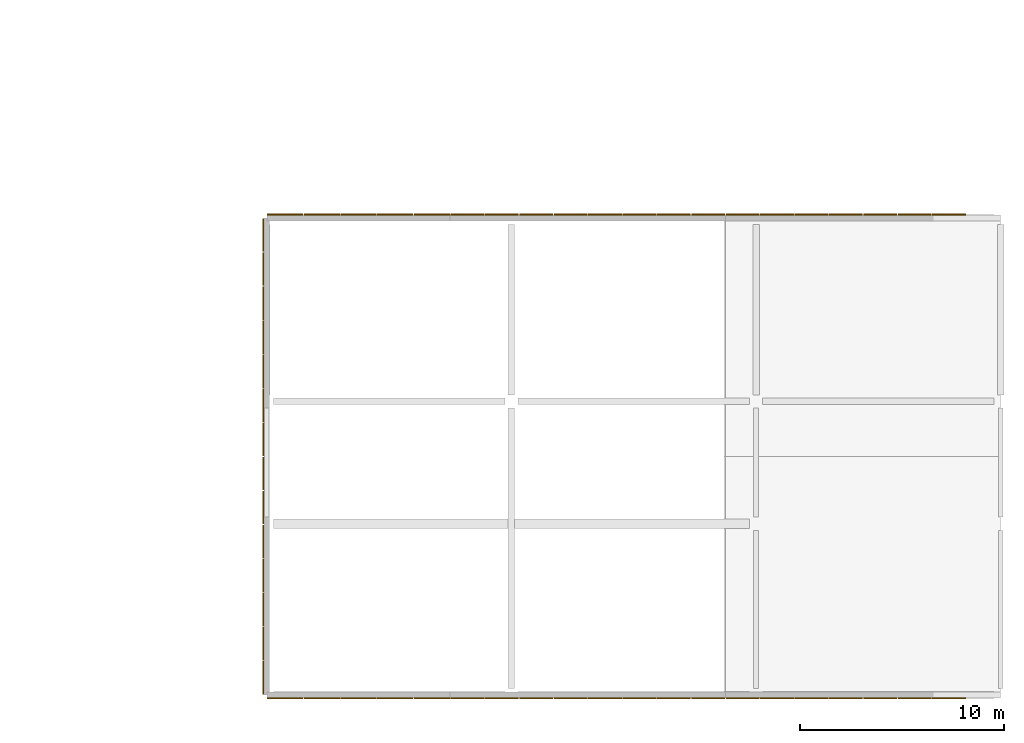
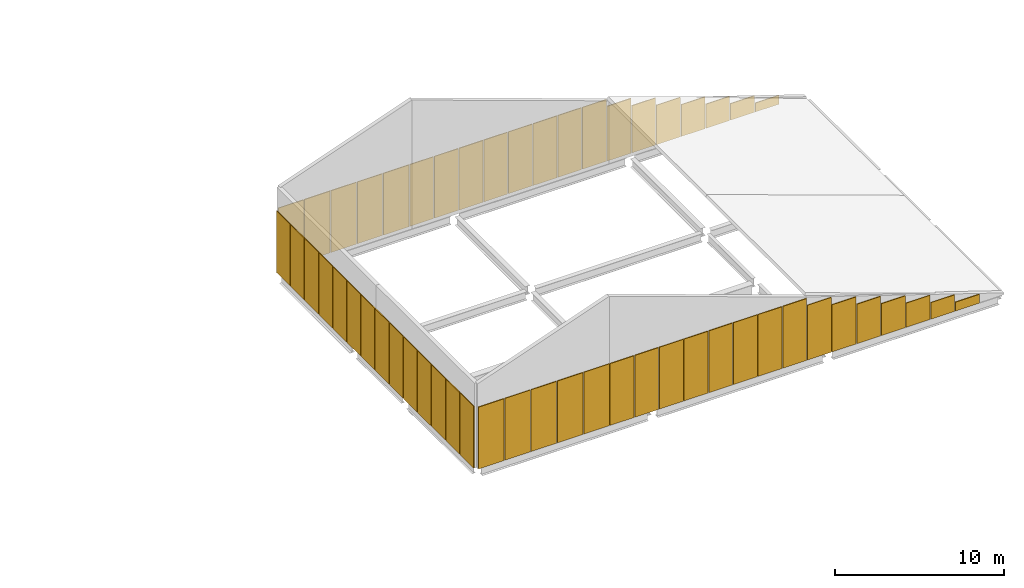
# One storey, part 7 of 7: 54 coverings.
"""IFC4 building model written with IfcOpenShell, lengths in metres."""

from ifc_helpers import new_model, si_unit, direction, frame, origin, origin_2d, place, context, subcontext, project, spatial, rectangle, extrude, material, layer, layer_set, type_object, element, save


model = new_model("IFC4")

# Units and contexts
model_context = context("Model", 3, precision=1e-05, world=origin(), true_north=direction((0.0, 1.0)))
body_context = subcontext(model_context, "Body", "Model", "MODEL_VIEW")
ifc_project = project(units=[si_unit("LENGTHUNIT", "METRE"), si_unit("AREAUNIT", "SQUARE_METRE"), si_unit("VOLUMEUNIT", "CUBIC_METRE"), si_unit("PLANEANGLEUNIT", "RADIAN"), si_unit("MASSUNIT", "GRAM", prefix="KILO")], contexts=[model_context])

# Site, building, storey
site_placement = place(None, origin())
site = spatial("IfcSite", under=ifc_project, at=site_placement, CompositionType="ELEMENT")
building_placement = place(site_placement, origin())
building = spatial("IfcBuilding", under=site, at=building_placement, Name="Kelmvaro Bay Concert Hall", CompositionType="ELEMENT")
storey_placement = place(building_placement, frame((0.0, 0.0, 22.199951171875)))
storey = spatial("IfcBuildingStorey", under=building, at=storey_placement, Name="L05", CompositionType="ELEMENT", Elevation=22.199951171875)

# Coverings
ifc_material = material(Name="Honed Florida Limestone Travertine", Category="masonry")
ifc_layer = layer(ifc_material, 0.054931640625)
ifc_layer_set = layer_set([ifc_layer], Name="Honed Florida Limestone Travertine")
covering_type = type_object("IfcCoveringType", Name="Honed Florida Travertine Rainscreen Cladding 55", PredefinedType="CLADDING", material=ifc_layer_set)
for number, where, z_axis, x_axis, name in (
    (1, (131.83447265625, 16.435791015625, 0.01025390625), (0.0, 0.0, 1.0), (0.0, 1.0, 0.0), "L05 Raked Travertine Gable Panel 0873"),
    (2, (131.83447265625, 18.107177734375, 0.01025390625), (0.0, 0.0, 1.0), (0.0, 1.0, 0.0), "L05 Raked Travertine Gable Panel 0875"),
    (3, (131.83447265625, 19.778564453125, 0.01025390625), (0.0, 0.0, 1.0), (0.0, 1.0, 0.0), "L05 Raked Travertine Gable Panel 0877"),
    (4, (131.83447265625, 21.449951171875, 0.01025390625), (0.0, 0.0, 1.0), (0.0, 1.0, 0.0), "L05 Raked Travertine Gable Panel 0879"),
    (5, (131.83447265625, 23.121337890625, 0.01025390625), (0.0, 0.0, 1.0), (0.0, 1.0, 0.0), "L05 Raked Travertine Gable Panel 0881"),
    (6, (131.83447265625, 24.79296875, 0.01025390625), (0.0, 0.0, 1.0), (0.0, 1.0, 0.0), "L05 Raked Travertine Gable Panel 0883"),
    (7, (131.83447265625, 26.46435546875, 0.01025390625), (0.0, 0.0, 1.0), (0.0, 1.0, 0.0), "L05 Raked Travertine Gable Panel 0885"),
    (8, (131.83447265625, 28.1357421875, 0.01025390625), (0.0, 0.0, 1.0), (0.0, 1.0, 0.0), "L05 Raked Travertine Gable Panel 0887"),
    (9, (131.83447265625, 29.80712890625, 0.01025390625), (0.0, 0.0, 1.0), (0.0, 1.0, 0.0), "L05 Raked Travertine Gable Panel 0889"),
    (10, (131.83447265625, 31.478515625, 0.01025390625), (0.0, 0.0, 1.0), (0.0, 1.0, 0.0), "L05 Raked Travertine Gable Panel 0891"),
    (11, (131.83447265625, 33.14990234375, 0.01025390625), (0.0, 0.0, 1.0), (0.0, 1.0, 0.0), "L05 Raked Travertine Gable Panel 0893"),
    (12, (131.83447265625, 34.8212890625, 0.01025390625), (0.0, 0.0, 1.0), (0.0, 1.0, 0.0), "L05 Raked Travertine Gable Panel 0895"),
    (13, (131.83447265625, 36.492919921875, 0.01025390625), (0.0, 0.0, 1.0), (0.0, 1.0, 0.0), "L05 Raked Travertine Gable Panel 0897"),
    (14, (131.83447265625, 38.164306640625, 0.01025390625), (0.0, 0.0, 1.0), (0.0, 1.0, 0.0), "L05 Raked Travertine Gable Panel 0899"),
):
    element("IfcCovering", number, at=place(storey_placement, frame(where, z_axis=z_axis, x_axis=x_axis)), inside=storey, type_object=covering_type, Name=name, PredefinedType="CLADDING", context=body_context, shape_type="SweptSolid", body=[
        extrude(rectangle(XDim=1.611083984375, YDim=0.054931640625, at=origin_2d()), origin(), (0.0, 0.0, 1.0), 4.469970703125),
    ])
covering_1_placement = place(storey_placement, frame((165.46875, 15.4345703125, 0.010009765625), z_axis=(0.0, 0.0, 1.0), x_axis=(-1.0, 0.0, 0.0)))
element("IfcCovering", 15, at=covering_1_placement, inside=storey, type_object=covering_type, Name="L05 Raked Travertine Gable Panel 0901", PredefinedType="CLADDING", context=body_context, shape_type="SweptSolid", body=[
    extrude(rectangle(XDim=1.6279296875, YDim=0.054931640625, at=origin_2d()), origin(), (0.0, 0.0, 1.0), 0.64306640625),
])
covering_2_placement = place(storey_placement, frame((163.78125, 15.4345703125, 0.01025390625), z_axis=(0.0, 0.0, 1.0), x_axis=(-1.0, 0.0, 0.0)))
element("IfcCovering", 16, at=covering_2_placement, inside=storey, type_object=covering_type, Name="L05 Raked Travertine Gable Panel 0902", PredefinedType="CLADDING", context=body_context, shape_type="SweptSolid", body=[
    extrude(rectangle(XDim=1.626953125, YDim=0.054931640625, at=origin_2d()), origin(), (0.0, 0.0, 1.0), 1.196044921875),
])
covering_3_placement = place(storey_placement, frame((162.09375, 15.4345703125, 0.01025390625), z_axis=(0.0, 0.0, 1.0), x_axis=(-1.0, 0.0, 0.0)))
element("IfcCovering", 17, at=covering_3_placement, inside=storey, type_object=covering_type, Name="L05 Raked Travertine Gable Panel 0903", PredefinedType="CLADDING", context=body_context, shape_type="SweptSolid", body=[
    extrude(rectangle(XDim=1.626953125, YDim=0.054931640625, at=origin_2d()), origin(), (0.0, 0.0, 1.0), 1.7490234375),
])
covering_4_placement = place(storey_placement, frame((160.40625, 15.4345703125, 0.01025390625), z_axis=(0.0, 0.0, 1.0), x_axis=(-1.0, 0.0, 0.0)))
element("IfcCovering", 18, at=covering_4_placement, inside=storey, type_object=covering_type, Name="L05 Raked Travertine Gable Panel 0904", PredefinedType="CLADDING", context=body_context, shape_type="SweptSolid", body=[
    extrude(rectangle(XDim=1.6279296875, YDim=0.054931640625, at=origin_2d()), origin(), (0.0, 0.0, 1.0), 2.302001953125),
])
covering_5_placement = place(storey_placement, frame((158.71875, 15.4345703125, 0.009765625), z_axis=(0.0, 0.0, 1.0), x_axis=(-1.0, 0.0, 0.0)))
element("IfcCovering", 19, at=covering_5_placement, inside=storey, type_object=covering_type, Name="L05 Raked Travertine Gable Panel 0905", PredefinedType="CLADDING", context=body_context, shape_type="SweptSolid", body=[
    extrude(rectangle(XDim=1.6279296875, YDim=0.054931640625, at=origin_2d()), origin(), (0.0, 0.0, 1.0), 2.85595703125),
])
covering_6_placement = place(storey_placement, frame((157.03125, 15.4345703125, 0.009765625), z_axis=(0.0, 0.0, 1.0), x_axis=(-1.0, 0.0, 0.0)))
element("IfcCovering", 20, at=covering_6_placement, inside=storey, type_object=covering_type, Name="L05 Raked Travertine Gable Panel 0906", PredefinedType="CLADDING", context=body_context, shape_type="SweptSolid", body=[
    extrude(rectangle(XDim=1.6279296875, YDim=0.054931640625, at=origin_2d()), origin(), (0.0, 0.0, 1.0), 3.408935546875),
])
covering_7_placement = place(storey_placement, frame((155.34375, 15.4345703125, 0.010009765625), z_axis=(0.0, 0.0, 1.0), x_axis=(-1.0, 0.0, 0.0)))
element("IfcCovering", 21, at=covering_7_placement, inside=storey, type_object=covering_type, Name="L05 Raked Travertine Gable Panel 0907", PredefinedType="CLADDING", context=body_context, shape_type="SweptSolid", body=[
    extrude(rectangle(XDim=1.6279296875, YDim=0.054931640625, at=origin_2d()), origin(), (0.0, 0.0, 1.0), 3.9619140625),
])
covering_8_placement = place(storey_placement, frame((153.65625, 15.4345703125, 0.01025390625), z_axis=(0.0, 0.0, 1.0), x_axis=(-1.0, 0.0, 0.0)))
element("IfcCovering", 22, at=covering_8_placement, inside=storey, type_object=covering_type, Name="L05 Raked Travertine Gable Panel 0908", PredefinedType="CLADDING", context=body_context, shape_type="SweptSolid", body=[
    extrude(rectangle(XDim=1.626953125, YDim=0.054931640625, at=origin_2d()), origin(), (0.0, 0.0, 1.0), 4.469970703125),
])
covering_9_placement = place(storey_placement, frame((151.96875, 15.4345703125, 0.01025390625), z_axis=(0.0, 0.0, 1.0), x_axis=(-1.0, 0.0, 0.0)))
element("IfcCovering", 23, at=covering_9_placement, inside=storey, type_object=covering_type, Name="L05 Raked Travertine Gable Panel 0909", PredefinedType="CLADDING", context=body_context, shape_type="SweptSolid", body=[
    extrude(rectangle(XDim=1.6279296875, YDim=0.054931640625, at=origin_2d()), origin(), (0.0, 0.0, 1.0), 4.469970703125),
])
for number, where, z_axis, x_axis, name in (
    (24, (150.28125, 15.4345703125, 0.01025390625), (0.0, 0.0, 1.0), (-1.0, 0.0, 0.0), "L05 Raked Travertine Gable Panel 0911"),
    (25, (148.59375, 15.4345703125, 0.01025390625), (0.0, 0.0, 1.0), (-1.0, 0.0, 0.0), "L05 Raked Travertine Gable Panel 0913"),
):
    element("IfcCovering", number, at=place(storey_placement, frame(where, z_axis=z_axis, x_axis=x_axis)), inside=storey, type_object=covering_type, Name=name, PredefinedType="CLADDING", context=body_context, shape_type="SweptSolid", body=[
        extrude(rectangle(XDim=1.626953125, YDim=0.054931640625, at=origin_2d()), origin(), (0.0, 0.0, 1.0), 4.469970703125),
    ])
for number, where, z_axis, x_axis, name in (
    (26, (146.90625, 15.4345703125, 0.01025390625), (0.0, 0.0, 1.0), (-1.0, 0.0, 0.0), "L05 Raked Travertine Gable Panel 0915"),
    (27, (145.21875, 15.4345703125, 0.01025390625), (0.0, 0.0, 1.0), (-1.0, 0.0, 0.0), "L05 Raked Travertine Gable Panel 0917"),
    (28, (143.53125, 15.4345703125, 0.01025390625), (0.0, 0.0, 1.0), (-1.0, 0.0, 0.0), "L05 Raked Travertine Gable Panel 0919"),
    (29, (141.84375, 15.4345703125, 0.01025390625), (0.0, 0.0, 1.0), (-1.0, 0.0, 0.0), "L05 Raked Travertine Gable Panel 0921"),
):
    element("IfcCovering", number, at=place(storey_placement, frame(where, z_axis=z_axis, x_axis=x_axis)), inside=storey, type_object=covering_type, Name=name, PredefinedType="CLADDING", context=body_context, shape_type="SweptSolid", body=[
        extrude(rectangle(XDim=1.6279296875, YDim=0.054931640625, at=origin_2d()), origin(), (0.0, 0.0, 1.0), 4.469970703125),
    ])
for number, where, z_axis, x_axis, name in (
    (30, (140.10009765625, 15.4345703125, 0.01025390625), (0.0, 0.0, 1.0), (-1.0, 0.0, 0.0), "L05 Raked Travertine Gable Panel 0923"),
    (31, (138.300048828125, 15.4345703125, 0.01025390625), (0.0, 0.0, 1.0), (-1.0, 0.0, 0.0), "L05 Raked Travertine Gable Panel 0925"),
    (32, (136.5, 15.4345703125, 0.01025390625), (0.0, 0.0, 1.0), (-1.0, 0.0, 0.0), "L05 Raked Travertine Gable Panel 0927"),
    (33, (134.699951171875, 15.4345703125, 0.01025390625), (0.0, 0.0, 1.0), (-1.0, 0.0, 0.0), "L05 Raked Travertine Gable Panel 0929"),
    (34, (132.89990234375, 15.4345703125, 0.01025390625), (0.0, 0.0, 1.0), (-1.0, 0.0, 0.0), "L05 Raked Travertine Gable Panel 0931"),
    (35, (132.89990234375, 39.16552734375, 0.01025390625), (0.0, 0.0, 1.0), (1.0, 0.0, 0.0), "L05 Raked Travertine Gable Panel 0933"),
    (36, (134.699951171875, 39.16552734375, 0.01025390625), (0.0, 0.0, 1.0), (1.0, 0.0, 0.0), "L05 Raked Travertine Gable Panel 0935"),
    (37, (136.5, 39.16552734375, 0.01025390625), (0.0, 0.0, 1.0), (1.0, 0.0, 0.0), "L05 Raked Travertine Gable Panel 0937"),
    (38, (138.300048828125, 39.16552734375, 0.01025390625), (0.0, 0.0, 1.0), (1.0, 0.0, 0.0), "L05 Raked Travertine Gable Panel 0939"),
    (39, (140.10009765625, 39.16552734375, 0.01025390625), (0.0, 0.0, 1.0), (1.0, 0.0, 0.0), "L05 Raked Travertine Gable Panel 0941"),
):
    element("IfcCovering", number, at=place(storey_placement, frame(where, z_axis=z_axis, x_axis=x_axis)), inside=storey, type_object=covering_type, Name=name, PredefinedType="CLADDING", context=body_context, shape_type="SweptSolid", body=[
        extrude(rectangle(XDim=1.739990234375, YDim=0.054931640625, at=origin_2d()), origin(), (0.0, 0.0, 1.0), 4.469970703125),
    ])
covering_10_placement = place(storey_placement, frame((141.84375, 39.16552734375, 0.01025390625), z_axis=(0.0, 0.0, 1.0), x_axis=(1.0, 0.0, 0.0)))
element("IfcCovering", 40, at=covering_10_placement, inside=storey, type_object=covering_type, Name="L05 Raked Travertine Gable Panel 0943", PredefinedType="CLADDING", context=body_context, shape_type="SweptSolid", body=[
    extrude(rectangle(XDim=1.626953125, YDim=0.054931640625, at=origin_2d()), origin(), (0.0, 0.0, 1.0), 4.469970703125),
])
covering_11_placement = place(storey_placement, frame((143.53125, 39.16552734375, 0.01025390625), z_axis=(0.0, 0.0, 1.0), x_axis=(1.0, 0.0, 0.0)))
element("IfcCovering", 41, at=covering_11_placement, inside=storey, type_object=covering_type, Name="L05 Raked Travertine Gable Panel 0945", PredefinedType="CLADDING", context=body_context, shape_type="SweptSolid", body=[
    extrude(rectangle(XDim=1.6279296875, YDim=0.054931640625, at=origin_2d()), origin(), (0.0, 0.0, 1.0), 4.469970703125),
])
for number, where, z_axis, x_axis, name in (
    (42, (145.21875, 39.16552734375, 0.01025390625), (0.0, 0.0, 1.0), (1.0, 0.0, 0.0), "L05 Raked Travertine Gable Panel 0947"),
    (43, (146.90625, 39.16552734375, 0.01025390625), (0.0, 0.0, 1.0), (1.0, 0.0, 0.0), "L05 Raked Travertine Gable Panel 0949"),
):
    element("IfcCovering", number, at=place(storey_placement, frame(where, z_axis=z_axis, x_axis=x_axis)), inside=storey, type_object=covering_type, Name=name, PredefinedType="CLADDING", context=body_context, shape_type="SweptSolid", body=[
        extrude(rectangle(XDim=1.626953125, YDim=0.054931640625, at=origin_2d()), origin(), (0.0, 0.0, 1.0), 4.469970703125),
    ])
for number, where, z_axis, x_axis, name in (
    (44, (148.59375, 39.16552734375, 0.01025390625), (0.0, 0.0, 1.0), (1.0, 0.0, 0.0), "L05 Raked Travertine Gable Panel 0951"),
    (45, (150.28125, 39.16552734375, 0.01025390625), (0.0, 0.0, 1.0), (1.0, 0.0, 0.0), "L05 Raked Travertine Gable Panel 0953"),
    (46, (151.96875, 39.16552734375, 0.01025390625), (0.0, 0.0, 1.0), (1.0, 0.0, 0.0), "L05 Raked Travertine Gable Panel 0955"),
    (47, (153.65625, 39.16552734375, 0.01025390625), (0.0, 0.0, 1.0), (1.0, 0.0, 0.0), "L05 Raked Travertine Gable Panel 0957"),
):
    element("IfcCovering", number, at=place(storey_placement, frame(where, z_axis=z_axis, x_axis=x_axis)), inside=storey, type_object=covering_type, Name=name, PredefinedType="CLADDING", context=body_context, shape_type="SweptSolid", body=[
        extrude(rectangle(XDim=1.6279296875, YDim=0.054931640625, at=origin_2d()), origin(), (0.0, 0.0, 1.0), 4.469970703125),
    ])
covering_12_placement = place(storey_placement, frame((155.34375, 39.16552734375, 0.010009765625), z_axis=(0.0, 0.0, 1.0), x_axis=(1.0, 0.0, 0.0)))
element("IfcCovering", 48, at=covering_12_placement, inside=storey, type_object=covering_type, Name="L05 Raked Travertine Gable Panel 0958", PredefinedType="CLADDING", context=body_context, shape_type="SweptSolid", body=[
    extrude(rectangle(XDim=1.626953125, YDim=0.054931640625, at=origin_2d()), origin(), (0.0, 0.0, 1.0), 3.9619140625),
])
covering_13_placement = place(storey_placement, frame((157.03125, 39.16552734375, 0.009765625), z_axis=(0.0, 0.0, 1.0), x_axis=(1.0, 0.0, 0.0)))
element("IfcCovering", 49, at=covering_13_placement, inside=storey, type_object=covering_type, Name="L05 Raked Travertine Gable Panel 0959", PredefinedType="CLADDING", context=body_context, shape_type="SweptSolid", body=[
    extrude(rectangle(XDim=1.6279296875, YDim=0.054931640625, at=origin_2d()), origin(), (0.0, 0.0, 1.0), 3.408935546875),
])
covering_14_placement = place(storey_placement, frame((158.71875, 39.16552734375, 0.009765625), z_axis=(0.0, 0.0, 1.0), x_axis=(1.0, 0.0, 0.0)))
element("IfcCovering", 50, at=covering_14_placement, inside=storey, type_object=covering_type, Name="L05 Raked Travertine Gable Panel 0960", PredefinedType="CLADDING", context=body_context, shape_type="SweptSolid", body=[
    extrude(rectangle(XDim=1.626953125, YDim=0.054931640625, at=origin_2d()), origin(), (0.0, 0.0, 1.0), 2.85595703125),
])
covering_15_placement = place(storey_placement, frame((160.40625, 39.16552734375, 0.01025390625), z_axis=(0.0, 0.0, 1.0), x_axis=(1.0, 0.0, 0.0)))
element("IfcCovering", 51, at=covering_15_placement, inside=storey, type_object=covering_type, Name="L05 Raked Travertine Gable Panel 0961", PredefinedType="CLADDING", context=body_context, shape_type="SweptSolid", body=[
    extrude(rectangle(XDim=1.626953125, YDim=0.054931640625, at=origin_2d()), origin(), (0.0, 0.0, 1.0), 2.302001953125),
])
covering_16_placement = place(storey_placement, frame((162.09375, 39.16552734375, 0.01025390625), z_axis=(0.0, 0.0, 1.0), x_axis=(1.0, 0.0, 0.0)))
element("IfcCovering", 52, at=covering_16_placement, inside=storey, type_object=covering_type, Name="L05 Raked Travertine Gable Panel 0962", PredefinedType="CLADDING", context=body_context, shape_type="SweptSolid", body=[
    extrude(rectangle(XDim=1.6279296875, YDim=0.054931640625, at=origin_2d()), origin(), (0.0, 0.0, 1.0), 1.7490234375),
])
covering_17_placement = place(storey_placement, frame((163.78125, 39.16552734375, 0.01025390625), z_axis=(0.0, 0.0, 1.0), x_axis=(1.0, 0.0, 0.0)))
element("IfcCovering", 53, at=covering_17_placement, inside=storey, type_object=covering_type, Name="L05 Raked Travertine Gable Panel 0963", PredefinedType="CLADDING", context=body_context, shape_type="SweptSolid", body=[
    extrude(rectangle(XDim=1.6279296875, YDim=0.054931640625, at=origin_2d()), origin(), (0.0, 0.0, 1.0), 1.196044921875),
])
covering_18_placement = place(storey_placement, frame((165.46875, 39.16552734375, 0.010009765625), z_axis=(0.0, 0.0, 1.0), x_axis=(1.0, 0.0, 0.0)))
element("IfcCovering", 54, at=covering_18_placement, inside=storey, type_object=covering_type, Name="L05 Raked Travertine Gable Panel 0964", PredefinedType="CLADDING", context=body_context, shape_type="SweptSolid", body=[
    extrude(rectangle(XDim=1.6279296875, YDim=0.054931640625, at=origin_2d()), origin(), (0.0, 0.0, 1.0), 0.64306640625),
])

save(model, "model.ifc")
